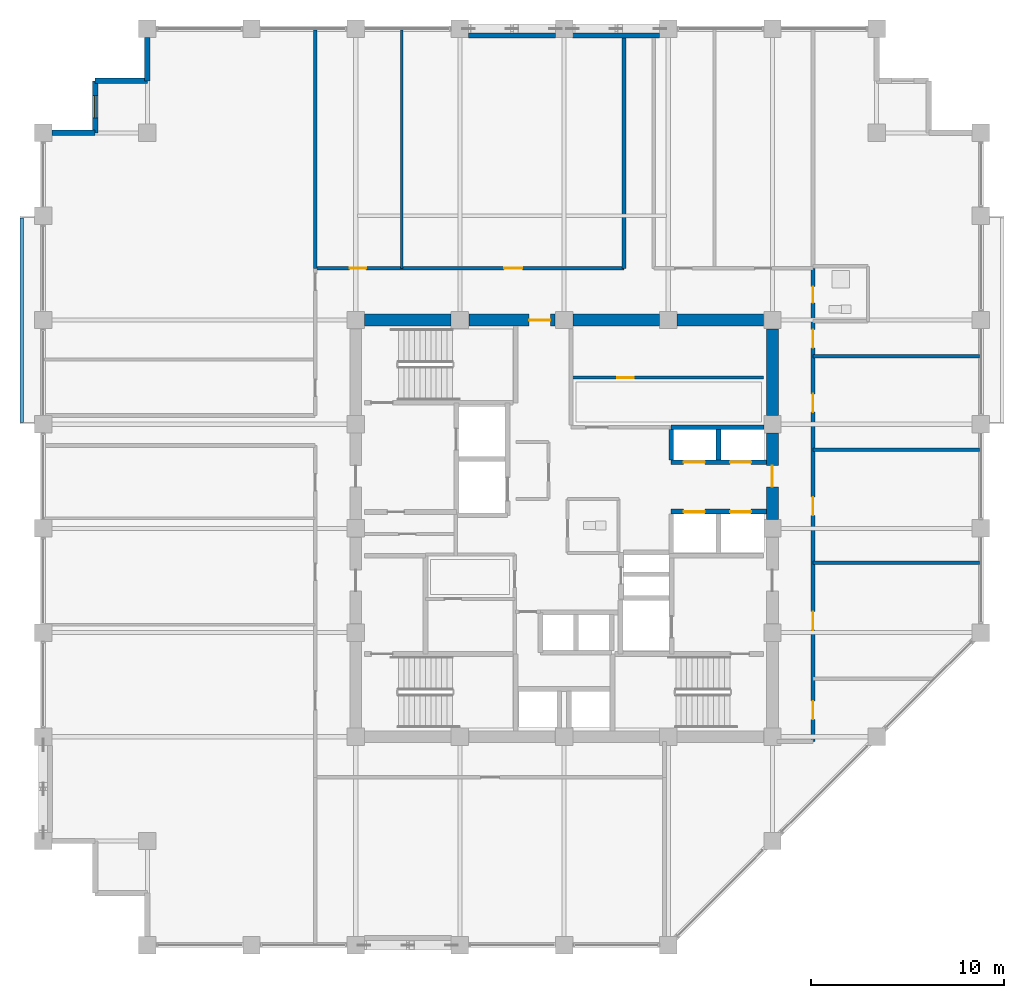
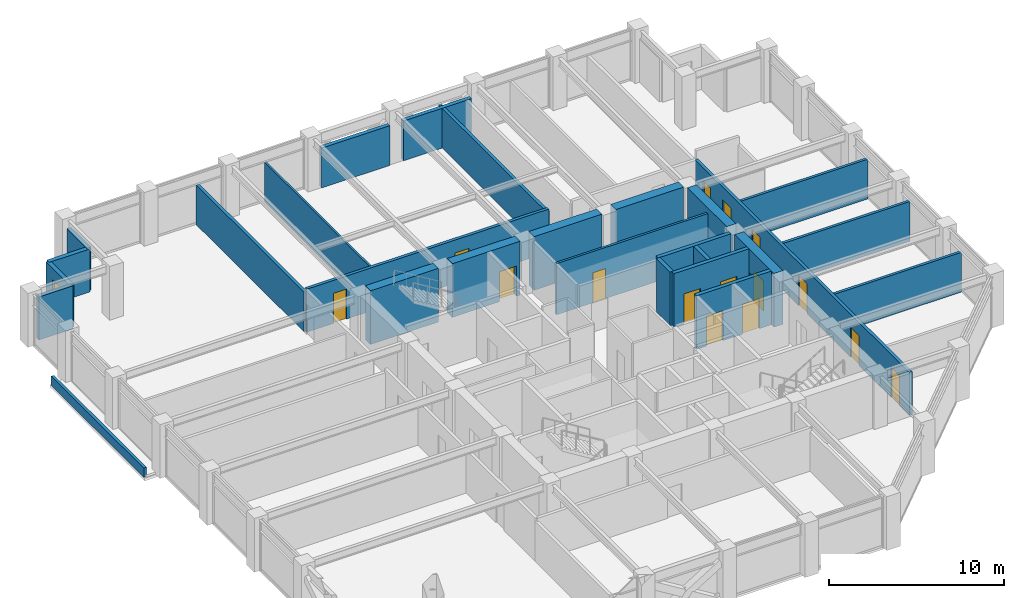
# One storey, part 28 of 31: 27 walls, 15 doors, 1 window, 16 openings.
"""IFC4 building model written with IfcOpenShell, lengths in metres."""

from ifc_helpers import new_model, si_unit, direction, frame, frame_2d, origin, place, context, subcontext, project, spatial, rectangle, extrude, material, layer, layer_set, type_object, element, fill, save


model = new_model("IFC4")

# Units and contexts
model_context = context("Model", 3, precision=1e-05, world=origin(), true_north=direction((0.0, 1.0)))
body_context = subcontext(model_context, "Body", "Model", "MODEL_VIEW")
ifc_project = project(units=[si_unit("LENGTHUNIT", "METRE"), si_unit("AREAUNIT", "SQUARE_METRE"), si_unit("VOLUMEUNIT", "CUBIC_METRE"), si_unit("PLANEANGLEUNIT", "RADIAN"), si_unit("MASSUNIT", "GRAM", prefix="KILO")], contexts=[model_context])

# Site, building, storey
site_placement = place(None, origin())
site = spatial("IfcSite", under=ifc_project, at=site_placement, CompositionType="ELEMENT")
building_placement = place(site_placement, origin())
building = spatial("IfcBuilding", under=site, at=building_placement, Name="Surkhivell Harbour Commons", CompositionType="ELEMENT")
storey_placement = place(building_placement, frame((0.0, 0.0, 193.5)))
storey = spatial("IfcBuildingStorey", under=building, at=storey_placement, Name="L50", CompositionType="ELEMENT", Elevation=193.5)

# Wall
ifc_material_1 = material(Name="Concrete C60/75", Category="concrete")
ifc_layer_1 = layer(ifc_material_1, 0.60009765625)
ifc_layer_set_1 = layer_set([ifc_layer_1], Name="Concrete C60/75")
wall_type_1 = type_object("IfcWallType", Name="WAL-CORE-600", PredefinedType="SHEAR", material=ifc_layer_set_1)
wall_1_placement = place(storey_placement, frame((-10.340087890625, 10.800048828125, 0.0), z_axis=(0.0, 0.0, 1.0), x_axis=(1.0, 0.0, 0.0)))
element("IfcWall", 1, at=wall_1_placement, inside=storey, type_object=wall_type_1, Name="L50 Core Shear Wall North 1", PredefinedType="SHEAR", context=body_context, shape_type="SweptSolid", body=[
    extrude(rectangle(XDim=4.47998046875, YDim=0.60009765625, at=frame_2d((2.239990234375, 0.0))), origin(), (0.0, 0.0, 1.0), 3.75),
])

# Wall, opening, door
wall_2_placement = place(storey_placement, frame((-4.93994140625, 10.800048828125, 0.0), z_axis=(0.0, 0.0, 1.0), x_axis=(1.0, 0.0, 0.0)))
wall_2 = element("IfcWall", 2, at=wall_2_placement, inside=storey, type_object=wall_type_1, Name="L50 Core Shear Wall North 2", PredefinedType="SHEAR", context=body_context, shape_type="SweptSolid", body=[
    extrude(rectangle(XDim=4.47998046875, YDim=0.60009765625, at=frame_2d((2.239990234375, 0.0))), origin(), (0.0, 0.0, 1.0), 3.75),
])
opening_1_placement = place(wall_2_placement, frame((3.1298828125, 0.0, 0.0)))
opening_1 = element("IfcOpeningElement", 3, at=opening_1_placement, cuts=wall_2, Name="Opening ID-2", PredefinedType="OPENING", context=body_context, shape_type="SweptSolid", body=[
    extrude(rectangle(XDim=1.10009765625, YDim=2.10009765625, at=frame_2d((0.550048828125, 1.050048828125))), frame((0.0, 0.31005859375, 0.0), z_axis=(0.0, -1.0, 0.0), x_axis=(1.0, 0.0, 0.0)), (0.0, 0.0, 1.0), 0.6201171875),
])
ifc_material_2 = material(Name="Hardwood-veneered fire-rated door leaf", Category="wood")
door_type_1 = type_object("IfcDoorType", Name="DOR-FD60-1100", OperationType="NOTDEFINED", PredefinedType="DOOR", material=ifc_material_2)
door_1_placement = place(opening_1_placement, origin())
door_1 = element("IfcDoor", 4, at=door_1_placement, inside=storey, type_object=door_type_1, Name="L50 Central Core Lift Hall North Corridor Door", OperationType="SINGLE_SWING_LEFT", OverallHeight=2.10009765625, OverallWidth=1.10009765625, PredefinedType="DOOR", context=body_context, shape_type="SweptSolid", body=[
    extrude(rectangle(XDim=1.10009765625, YDim=2.10009765625, at=frame_2d((0.550048828125, 1.050048828125))), frame((0.0, 0.02490234375, 0.0), z_axis=(0.0, -1.0, 0.0), x_axis=(1.0, 0.0, 0.0)), (0.0, 0.0, 1.0), 0.050048828125),
])
fill(opening_1, door_1)

# Wall
wall_3_placement = place(storey_placement, frame((0.4599609375, 10.800048828125, 0.0), z_axis=(0.0, 0.0, 1.0), x_axis=(1.0, 0.0, 0.0)))
element("IfcWall", 5, at=wall_3_placement, inside=storey, type_object=wall_type_1, Name="L50 Core Shear Wall North 3", PredefinedType="SHEAR", context=body_context, shape_type="SweptSolid", body=[
    extrude(rectangle(XDim=4.47998046875, YDim=0.60009765625, at=frame_2d((2.239990234375, 0.0))), origin(), (0.0, 0.0, 1.0), 3.75),
])

# Wall, opening, door
wall_4_placement = place(storey_placement, frame((10.800048828125, 0.4599609375, 0.0), z_axis=(0.0, 0.0, 1.0), x_axis=(0.0, 1.0, 0.0)))
wall_4 = element("IfcWall", 6, at=wall_4_placement, inside=storey, type_object=wall_type_1, Name="L50 Core Shear Wall East 3", PredefinedType="SHEAR", context=body_context, shape_type="SweptSolid", body=[
    extrude(rectangle(XDim=4.47998046875, YDim=0.60009765625, at=frame_2d((2.239990234375, 0.0))), origin(), (0.0, 0.0, 1.0), 3.75),
])
opening_2_placement = place(wall_4_placement, frame((1.68994140625, 0.0, 0.0)))
opening_2 = element("IfcOpeningElement", 7, at=opening_2_placement, cuts=wall_4, Name="Opening ID-2", PredefinedType="OPENING", context=body_context, shape_type="SweptSolid", body=[
    extrude(rectangle(XDim=1.10009765625, YDim=2.10009765625, at=frame_2d((0.550048828125, 1.050048828125))), frame((0.0, 0.31005859375, 0.0), z_axis=(0.0, -1.0, 0.0), x_axis=(1.0, 0.0, 0.0)), (0.0, 0.0, 1.0), 0.6201171875),
])
door_2_placement = place(opening_2_placement, origin())
door_2 = element("IfcDoor", 8, at=door_2_placement, inside=storey, type_object=door_type_1, Name="L50 Mid-Rise Lobby East Door", OperationType="SINGLE_SWING_LEFT", OverallHeight=2.10009765625, OverallWidth=1.10009765625, PredefinedType="DOOR", context=body_context, shape_type="SweptSolid", body=[
    extrude(rectangle(XDim=1.10009765625, YDim=2.10009765625, at=frame_2d((0.550048828125, 1.050048828125))), frame((0.0, 0.02490234375, 0.0), z_axis=(0.0, -1.0, 0.0), x_axis=(1.0, 0.0, 0.0)), (0.0, 0.0, 1.0), 0.050048828125),
])
fill(opening_2, door_2)

# Walls
for number, where, z_axis, x_axis, name in (
    (9, (5.860107421875, 10.800048828125, 0.0), (0.0, 0.0, 1.0), (1.0, 0.0, 0.0), "L50 Core Shear Wall North 4"),
    (10, (10.800048828125, 5.860107421875, 0.0), (0.0, 0.0, 1.0), (0.0, 1.0, 0.0), "L50 Core Shear Wall East 4"),
):
    element("IfcWall", number, at=place(storey_placement, frame(where, z_axis=z_axis, x_axis=x_axis)), inside=storey, type_object=wall_type_1, Name=name, PredefinedType="SHEAR", context=body_context, shape_type="SweptSolid", body=[
        extrude(rectangle(XDim=4.47998046875, YDim=0.60009765625, at=frame_2d((2.239990234375, 0.0))), origin(), (0.0, 0.0, 1.0), 3.75),
    ])
ifc_material_3 = material(Name="Pale-metal insulated precast concrete C45/55", Category="concrete")
ifc_layer_2 = layer(ifc_material_3, 0.260009765625)
ifc_layer_set_2 = layer_set([ifc_layer_2], Name="Pale-metal insulated precast concrete C45/55")
wall_type_2 = type_object("IfcWallType", Name="WAL-EXT-MTL260", PredefinedType="STANDARD", material=ifc_layer_set_2)
for number, where, z_axis, x_axis, name in (
    (11, (-0.447998046875, 25.5400390625, 0.0), (0.0, 0.0, 1.0), (-1.0, 0.0, 0.0), "L50 Braced-Bay Insulated Spandrel Backing N"),
    (12, (4.951904296875, 25.5400390625, 0.0), (0.0, 0.0, 1.0), (-1.0, 0.0, 0.0), "L50 Braced-Bay Insulated Spandrel Backing N2"),
):
    element("IfcWall", number, at=place(storey_placement, frame(where, z_axis=z_axis, x_axis=x_axis)), inside=storey, type_object=wall_type_2, Name=name, PredefinedType="STANDARD", context=body_context, shape_type="SweptSolid", body=[
        extrude(rectangle(XDim=4.50390625, YDim=0.260009765625, at=frame_2d((2.251953125, 0.0))), origin(), (0.0, 0.0, 1.0), 2.780029296875),
    ])
ifc_material_4 = material(Name="Terracotta-clad reinforced concrete C45/55", Category="masonry")
ifc_layer_3 = layer(ifc_material_4, 0.280029296875)
ifc_layer_set_3 = layer_set([ifc_layer_3], Name="Terracotta-clad reinforced concrete C45/55")
wall_type_3 = type_object("IfcWallType", Name="WAL-EXT-TER280", PredefinedType="STANDARD", material=ifc_layer_set_3)
wall_5_placement = place(storey_placement, frame((-21.60009765625, 25.451904296875, 0.0), z_axis=(0.0, 0.0, 1.0), x_axis=(0.0, -1.0, 0.0)))
element("IfcWall", 13, at=wall_5_placement, inside=storey, type_object=wall_type_3, Name="L50 Serrated Corner Facade Wall 08", PredefinedType="STANDARD", context=body_context, shape_type="SweptSolid", body=[
    extrude(rectangle(XDim=2.251953125, YDim=0.280029296875, at=frame_2d((1.1259765625, 0.0))), origin(), (0.0, 0.0, 1.0), 3.006103515625),
])
wall_6_placement = place(storey_placement, frame((-21.60009765625, 23.199951171875, 0.0), z_axis=(0.0, 0.0, 1.0), x_axis=(-1.0, 0.0, 0.0)))
element("IfcWall", 14, at=wall_6_placement, inside=storey, type_object=wall_type_3, Name="L50 Serrated Corner Facade Wall 09", PredefinedType="STANDARD", context=body_context, shape_type="SweptSolid", body=[
    extrude(rectangle(XDim=2.699951171875, YDim=0.280029296875, at=frame_2d((1.35009765625, 0.0))), origin(), (0.0, 0.0, 1.0), 3.006103515625),
])

# Wall, opening, window
wall_7_placement = place(storey_placement, frame((-24.300048828125, 23.199951171875, 0.0), z_axis=(0.0, 0.0, 1.0), x_axis=(0.0, -1.0, 0.0)))
wall_7 = element("IfcWall", 15, at=wall_7_placement, inside=storey, type_object=wall_type_3, Name="L50 Serrated Corner Facade Wall 10", PredefinedType="STANDARD", context=body_context, shape_type="SweptSolid", body=[
    extrude(rectangle(XDim=2.699951171875, YDim=0.280029296875, at=frame_2d((1.35009765625, 0.0))), origin(), (0.0, 0.0, 1.0), 3.006103515625),
])
opening_3_placement = place(wall_7_placement, frame((0.77490234375, 0.0, 0.64990234375)))
opening_3 = element("IfcOpeningElement", 16, at=opening_3_placement, cuts=wall_7, Name="Opening WN-10", PredefinedType="OPENING", context=body_context, shape_type="SweptSolid", body=[
    extrude(rectangle(XDim=1.14990234375, YDim=1.550048828125, at=frame_2d((0.574951171875, 0.77490234375))), frame((0.0, 0.14990234375, 0.0), z_axis=(0.0, -1.0, 0.0), x_axis=(1.0, 0.0, 0.0)), (0.0, 0.0, 1.0), 0.300048828125),
])
ifc_material_5 = material(Name="Thermal-break aluminium frame and double low-E glazing", Category="aluminium")
window_type = type_object("IfcWindowType", Name="WIN-SER-1150x1550", PartitioningType="SINGLE_PANEL", PredefinedType="WINDOW", material=ifc_material_5)
window_placement = place(opening_3_placement, origin())
window = element("IfcWindow", 17, at=window_placement, inside=storey, type_object=window_type, Name="L50 Serrated Alcove Window 10", OverallHeight=1.550048828125, OverallWidth=1.14990234375, PartitioningType="SINGLE_PANEL", PredefinedType="WINDOW", context=body_context, shape_type="SweptSolid", body=[
    extrude(rectangle(XDim=1.14990234375, YDim=1.550048828125, at=frame_2d((0.574951171875, 0.77490234375))), frame((0.0, 0.030029296875, 0.0), z_axis=(0.0, -1.0, 0.0), x_axis=(1.0, 0.0, 0.0)), (0.0, 0.0, 1.0), 0.06005859375),
])
fill(opening_3, window)

# Walls
wall_8_placement = place(storey_placement, frame((-24.300048828125, 20.5, 0.0), z_axis=(0.0, 0.0, 1.0), x_axis=(-1.0, 0.0, 0.0)))
element("IfcWall", 18, at=wall_8_placement, inside=storey, type_object=wall_type_3, Name="L50 Serrated Corner Facade Wall 11", PredefinedType="STANDARD", context=body_context, shape_type="SweptSolid", body=[
    extrude(rectangle(XDim=2.251953125, YDim=0.280029296875, at=frame_2d((1.1259765625, 0.0))), origin(), (0.0, 0.0, 1.0), 3.006103515625),
])
ifc_material_6 = material(Name="Moisture-resistant acoustic stud partition", Category="other")
ifc_layer_4 = layer(ifc_material_6, 0.125)
ifc_layer_set_4 = layer_set([ifc_layer_4], Name="Moisture-resistant acoustic stud partition")
wall_type_4 = type_object("IfcWallType", Name="WAL-INT-125", PredefinedType="PARTITIONING", material=ifc_layer_set_4)
wall_9_placement = place(storey_placement, frame((-8.419921875, 13.47998046875, 0.0), z_axis=(0.0, 0.0, 1.0), x_axis=(0.0, 1.0, 0.0)))
element("IfcWall", 19, at=wall_9_placement, inside=storey, type_object=wall_type_4, Name="L50 North-West Partition P1", PredefinedType="PARTITIONING", context=body_context, shape_type="SweptSolid", body=[
    extrude(rectangle(XDim=12.360107421875, YDim=0.125, at=frame_2d((6.18017578125, 0.0))), origin(), (0.0, 0.0, 1.0), 2.780029296875),
])

# Wall, opening, door
ifc_material_7 = material(Name="Twin-stud acoustic fireboard partition", Category="other")
ifc_layer_5 = layer(ifc_material_7, 0.14990234375)
ifc_layer_set_5 = layer_set([ifc_layer_5], Name="Twin-stud acoustic fireboard partition")
wall_type_5 = type_object("IfcWallType", Name="WAL-INT-150", PredefinedType="PARTITIONING", material=ifc_layer_set_5)
wall_10_placement = place(storey_placement, frame((0.35009765625, 7.820068359375, 0.0), z_axis=(0.0, 0.0, 1.0), x_axis=(1.0, 0.0, 0.0)))
wall_10 = element("IfcWall", 20, at=wall_10_placement, inside=storey, type_object=wall_type_5, Name="L50 Core Archive Partition", PredefinedType="PARTITIONING", context=body_context, shape_type="SweptSolid", body=[
    extrude(rectangle(XDim=9.989990234375, YDim=0.14990234375, at=frame_2d((4.9951171875, 0.0))), origin(), (0.0, 0.0, 1.0), 3.570068359375),
])
opening_4_placement = place(wall_10_placement, frame((2.39990234375, 0.0, 0.0)))
opening_4 = element("IfcOpeningElement", 21, at=opening_4_placement, cuts=wall_10, Name="Opening ID-6", PredefinedType="OPENING", context=body_context, shape_type="SweptSolid", body=[
    extrude(rectangle(XDim=0.85009765625, YDim=2.10009765625, at=frame_2d((0.425048828125, 1.050048828125))), frame((0.0, 0.0849609375, 0.0), z_axis=(0.0, -1.0, 0.0), x_axis=(1.0, 0.0, 0.0)), (0.0, 0.0, 1.0), 0.169921875),
])
door_type_2 = type_object("IfcDoorType", Name="DOR-FD30-850", OperationType="NOTDEFINED", PredefinedType="DOOR", material=ifc_material_2)
door_3_placement = place(opening_4_placement, origin())
door_3 = element("IfcDoor", 22, at=door_3_placement, inside=storey, type_object=door_type_2, Name="L50 Archive Room Door", OperationType="SINGLE_SWING_LEFT", OverallHeight=2.10009765625, OverallWidth=0.85009765625, PredefinedType="DOOR", context=body_context, shape_type="SweptSolid", body=[
    extrude(rectangle(XDim=0.85009765625, YDim=2.10009765625, at=frame_2d((0.425048828125, 1.050048828125))), frame((0.0, 0.02490234375, 0.0), z_axis=(0.0, -1.0, 0.0), x_axis=(1.0, 0.0, 0.0)), (0.0, 0.0, 1.0), 0.050048828125),
])
fill(opening_4, door_3)

# Walls
ifc_material_8 = material(Name="High-density acoustic blockwork fire partition", Category="masonry")
ifc_layer_6 = layer(ifc_material_8, 0.175048828125)
ifc_layer_set_6 = layer_set([ifc_layer_6], Name="High-density acoustic blockwork fire partition")
wall_type_6 = type_object("IfcWallType", Name="WAL-INT-175", PredefinedType="PARTITIONING", material=ifc_layer_set_6)
for number, where, z_axis, x_axis, name in (
    (23, (12.89990234375, -1.780029296875, 0.0), (0.0, 0.0, 1.0), (1.0, 0.0, 0.0), "L50 East Partition BDP1"),
    (24, (12.89990234375, 4.080078125, 0.0), (0.0, 0.0, 1.0), (1.0, 0.0, 0.0), "L50 East Partition BDP2"),
    (25, (12.89990234375, 8.929931640625, 0.0), (0.0, 0.0, 1.0), (1.0, 0.0, 0.0), "L50 East Partition PTOP"),
):
    element("IfcWall", number, at=place(storey_placement, frame(where, z_axis=z_axis, x_axis=x_axis)), inside=storey, type_object=wall_type_6, Name=name, PredefinedType="PARTITIONING", context=body_context, shape_type="SweptSolid", body=[
        extrude(rectangle(XDim=8.64013671875, YDim=0.175048828125, at=frame_2d((4.320068359375, 0.0))), origin(), (0.0, 0.0, 1.0), 2.780029296875),
    ])
ifc_material_9 = material(Name="Autoclaved aerated concrete blockwork and fire plaster", Category="masonry")
ifc_layer_7 = layer(ifc_material_9, 0.199951171875)
ifc_layer_set_7 = layer_set([ifc_layer_7], Name="Autoclaved aerated concrete blockwork and fire plaster")
wall_type_7 = type_object("IfcWallType", Name="WAL-INT-200", PredefinedType="PARTITIONING", material=ifc_layer_set_7)
wall_11_placement = place(storey_placement, frame((-12.89990234375, 13.47998046875, 0.0), z_axis=(0.0, 0.0, 1.0), x_axis=(0.0, 1.0, 0.0)))
element("IfcWall", 26, at=wall_11_placement, inside=storey, type_object=wall_type_7, Name="L50 North-West Corner Wall", PredefinedType="PARTITIONING", context=body_context, shape_type="SweptSolid", body=[
    extrude(rectangle(XDim=12.360107421875, YDim=0.199951171875, at=frame_2d((6.18017578125, 0.0))), origin(), (0.0, 0.0, 1.0), 2.780029296875),
])

# Wall, openings, doors
wall_12_placement = place(storey_placement, frame((12.89990234375, -11.0400390625, 0.0), z_axis=(0.0, 0.0, 1.0), x_axis=(0.0, 1.0, 0.0)))
wall_12 = element("IfcWall", 27, at=wall_12_placement, inside=storey, type_object=wall_type_7, Name="L50 Corridor East Wall", PredefinedType="PARTITIONING", context=body_context, shape_type="SweptSolid", body=[
    extrude(rectangle(XDim=24.52001953125, YDim=0.199951171875, at=frame_2d((12.260009765625, 0.0))), origin(), (0.0, 0.0, 1.0), 3.006103515625),
])
opening_5_placement = place(wall_12_placement, frame((1.139892578125, 0.0, 0.0)))
opening_5 = element("IfcOpeningElement", 28, at=opening_5_placement, cuts=wall_12, Name="Opening ID-4", PredefinedType="OPENING", context=body_context, shape_type="SweptSolid", body=[
    extrude(rectangle(XDim=0.949951171875, YDim=2.10009765625, at=frame_2d((0.47509765625, 1.050048828125))), frame((0.0, 0.10986328125, 0.0), z_axis=(0.0, -1.0, 0.0), x_axis=(1.0, 0.0, 0.0)), (0.0, 0.0, 1.0), 0.219970703125),
])
opening_6_placement = place(wall_12_placement, frame((22.72509765625, 0.0, 0.0)))
opening_6 = element("IfcOpeningElement", 29, at=opening_6_placement, cuts=wall_12, Name="Opening ID-6", PredefinedType="OPENING", context=body_context, shape_type="SweptSolid", body=[
    extrude(rectangle(XDim=0.85009765625, YDim=2.10009765625, at=frame_2d((0.425048828125, 1.050048828125))), frame((0.0, 0.10986328125, 0.0), z_axis=(0.0, -1.0, 0.0), x_axis=(1.0, 0.0, 0.0)), (0.0, 0.0, 1.0), 0.219970703125),
])
opening_7_placement = place(wall_12_placement, frame((20.389892578125, 0.0, 0.0)))
opening_7 = element("IfcOpeningElement", 30, at=opening_7_placement, cuts=wall_12, Name="Opening ID-4", PredefinedType="OPENING", context=body_context, shape_type="SweptSolid", body=[
    extrude(rectangle(XDim=0.949951171875, YDim=2.10009765625, at=frame_2d((0.47509765625, 1.050048828125))), frame((0.0, 0.10986328125, 0.0), z_axis=(0.0, -1.0, 0.0), x_axis=(1.0, 0.0, 0.0)), (0.0, 0.0, 1.0), 0.219970703125),
])
opening_8_placement = place(wall_12_placement, frame((5.77001953125, 0.0, 0.0)))
opening_8 = element("IfcOpeningElement", 31, at=opening_8_placement, cuts=wall_12, Name="Opening ID-4", PredefinedType="OPENING", context=body_context, shape_type="SweptSolid", body=[
    extrude(rectangle(XDim=0.949951171875, YDim=2.10009765625, at=frame_2d((0.47509765625, 1.050048828125))), frame((0.0, 0.10986328125, 0.0), z_axis=(0.0, -1.0, 0.0), x_axis=(1.0, 0.0, 0.0)), (0.0, 0.0, 1.0), 0.219970703125),
])
opening_9_placement = place(wall_12_placement, frame((11.7099609375, 0.0, 0.0)))
opening_9 = element("IfcOpeningElement", 32, at=opening_9_placement, cuts=wall_12, Name="Opening ID-4", PredefinedType="OPENING", context=body_context, shape_type="SweptSolid", body=[
    extrude(rectangle(XDim=0.949951171875, YDim=2.10009765625, at=frame_2d((0.47509765625, 1.050048828125))), frame((0.0, 0.10986328125, 0.0), z_axis=(0.0, -1.0, 0.0), x_axis=(1.0, 0.0, 0.0)), (0.0, 0.0, 1.0), 0.219970703125),
])
opening_10_placement = place(wall_12_placement, frame((17.06494140625, 0.0, 0.0)))
opening_10 = element("IfcOpeningElement", 33, at=opening_10_placement, cuts=wall_12, Name="Opening ID-4", PredefinedType="OPENING", context=body_context, shape_type="SweptSolid", body=[
    extrude(rectangle(XDim=0.949951171875, YDim=2.10009765625, at=frame_2d((0.47509765625, 1.050048828125))), frame((0.0, 0.10986328125, 0.0), z_axis=(0.0, -1.0, 0.0), x_axis=(1.0, 0.0, 0.0)), (0.0, 0.0, 1.0), 0.219970703125),
])
door_4_placement = place(opening_6_placement, origin())
door_4 = element("IfcDoor", 34, at=door_4_placement, inside=storey, type_object=door_type_2, Name="L50 Communal Shower Bathroom East Door", OperationType="SINGLE_SWING_RIGHT", OverallHeight=2.10009765625, OverallWidth=0.85009765625, PredefinedType="DOOR", context=body_context, shape_type="SweptSolid", body=[
    extrude(rectangle(XDim=0.85009765625, YDim=2.10009765625, at=frame_2d((0.425048828125, 1.050048828125))), frame((0.0, 0.02490234375, 0.0), z_axis=(0.0, -1.0, 0.0), x_axis=(1.0, 0.0, 0.0)), (0.0, 0.0, 1.0), 0.050048828125),
])
fill(opening_6, door_4)
door_type_3 = type_object("IfcDoorType", Name="DOR-FD60-950", OperationType="NOTDEFINED", PredefinedType="DOOR", material=ifc_material_2)
door_5_placement = place(opening_5_placement, origin())
door_5 = element("IfcDoor", 35, at=door_5_placement, inside=storey, type_object=door_type_3, Name="L50 Shared Communal Kitchen East Door", OperationType="SINGLE_SWING_LEFT", OverallHeight=2.10009765625, OverallWidth=0.949951171875, PredefinedType="DOOR", context=body_context, shape_type="SweptSolid", body=[
    extrude(rectangle(XDim=0.949951171875, YDim=2.10009765625, at=frame_2d((0.47509765625, 1.050048828125))), frame((0.0, 0.02490234375, 0.0), z_axis=(0.0, -1.0, 0.0), x_axis=(1.0, 0.0, 0.0)), (0.0, 0.0, 1.0), 0.050048828125),
])
fill(opening_5, door_5)
door_6_placement = place(opening_7_placement, origin())
door_6 = element("IfcDoor", 36, at=door_6_placement, inside=storey, type_object=door_type_3, Name="L50 Academic Reading Commons East Door", OperationType="SINGLE_SWING_LEFT", OverallHeight=2.10009765625, OverallWidth=0.949951171875, PredefinedType="DOOR", context=body_context, shape_type="SweptSolid", body=[
    extrude(rectangle(XDim=0.949951171875, YDim=2.10009765625, at=frame_2d((0.47509765625, 1.050048828125))), frame((0.0, 0.02490234375, 0.0), z_axis=(0.0, -1.0, 0.0), x_axis=(1.0, 0.0, 0.0)), (0.0, 0.0, 1.0), 0.050048828125),
])
fill(opening_7, door_6)
door_7_placement = place(opening_8_placement, origin())
door_7 = element("IfcDoor", 37, at=door_7_placement, inside=storey, type_object=door_type_3, Name="L50 Hostel Cluster Bedroom 1 East Door", OperationType="SINGLE_SWING_RIGHT", OverallHeight=2.10009765625, OverallWidth=0.949951171875, PredefinedType="DOOR", context=body_context, shape_type="SweptSolid", body=[
    extrude(rectangle(XDim=0.949951171875, YDim=2.10009765625, at=frame_2d((0.47509765625, 1.050048828125))), frame((0.0, 0.02490234375, 0.0), z_axis=(0.0, -1.0, 0.0), x_axis=(1.0, 0.0, 0.0)), (0.0, 0.0, 1.0), 0.050048828125),
])
fill(opening_8, door_7)
door_8_placement = place(opening_9_placement, origin())
door_8 = element("IfcDoor", 38, at=door_8_placement, inside=storey, type_object=door_type_3, Name="L50 Co-Living Dormitory Bedroom 2 East Door", OperationType="SINGLE_SWING_LEFT", OverallHeight=2.10009765625, OverallWidth=0.949951171875, PredefinedType="DOOR", context=body_context, shape_type="SweptSolid", body=[
    extrude(rectangle(XDim=0.949951171875, YDim=2.10009765625, at=frame_2d((0.47509765625, 1.050048828125))), frame((0.0, 0.02490234375, 0.0), z_axis=(0.0, -1.0, 0.0), x_axis=(1.0, 0.0, 0.0)), (0.0, 0.0, 1.0), 0.050048828125),
])
fill(opening_9, door_8)
door_9_placement = place(opening_10_placement, origin())
door_9 = element("IfcDoor", 39, at=door_9_placement, inside=storey, type_object=door_type_3, Name="L50 Hostel Cluster Bedroom 3 East Door", OperationType="SINGLE_SWING_RIGHT", OverallHeight=2.10009765625, OverallWidth=0.949951171875, PredefinedType="DOOR", context=body_context, shape_type="SweptSolid", body=[
    extrude(rectangle(XDim=0.949951171875, YDim=2.10009765625, at=frame_2d((0.47509765625, 1.050048828125))), frame((0.0, 0.02490234375, 0.0), z_axis=(0.0, -1.0, 0.0), x_axis=(1.0, 0.0, 0.0)), (0.0, 0.0, 1.0), 0.050048828125),
])
fill(opening_10, door_9)

wall_13_placement = place(storey_placement, frame((-12.89990234375, 13.47998046875, 0.0), z_axis=(0.0, 0.0, 1.0), x_axis=(1.0, 0.0, 0.0)))
wall_13 = element("IfcWall", 40, at=wall_13_placement, inside=storey, type_object=wall_type_7, Name="L50 Corridor North-West Wall", PredefinedType="PARTITIONING", context=body_context, shape_type="SweptSolid", body=[
    extrude(rectangle(XDim=16.0, YDim=0.199951171875, at=frame_2d((8.0, 0.0))), origin(), (0.0, 0.0, 1.0), 3.006103515625),
])
opening_11_placement = place(wall_13_placement, frame((1.7900390625, 0.0, 0.0)))
opening_11 = element("IfcOpeningElement", 41, at=opening_11_placement, cuts=wall_13, Name="Opening ID-6", PredefinedType="OPENING", context=body_context, shape_type="SweptSolid", body=[
    extrude(rectangle(XDim=0.85009765625, YDim=2.10009765625, at=frame_2d((0.425048828125, 1.050048828125))), frame((0.0, 0.10986328125, 0.0), z_axis=(0.0, -1.0, 0.0), x_axis=(1.0, 0.0, 0.0)), (0.0, 0.0, 1.0), 0.219970703125),
])
opening_12_placement = place(wall_13_placement, frame((9.7900390625, 0.0, 0.0)))
opening_12 = element("IfcOpeningElement", 42, at=opening_12_placement, cuts=wall_13, Name="Opening ID-4", PredefinedType="OPENING", context=body_context, shape_type="SweptSolid", body=[
    extrude(rectangle(XDim=0.949951171875, YDim=2.10009765625, at=frame_2d((0.47509765625, 1.050048828125))), frame((0.0, 0.10986328125, 0.0), z_axis=(0.0, -1.0, 0.0), x_axis=(1.0, 0.0, 0.0)), (0.0, 0.0, 1.0), 0.219970703125),
])
door_10_placement = place(opening_11_placement, origin())
door_10 = element("IfcDoor", 43, at=door_10_placement, inside=storey, type_object=door_type_2, Name="L50 Shared Communal Kitchen A North-West Door", OperationType="SINGLE_SWING_LEFT", OverallHeight=2.10009765625, OverallWidth=0.85009765625, PredefinedType="DOOR", context=body_context, shape_type="SweptSolid", body=[
    extrude(rectangle(XDim=0.85009765625, YDim=2.10009765625, at=frame_2d((0.425048828125, 1.050048828125))), frame((0.0, 0.02490234375, 0.0), z_axis=(0.0, -1.0, 0.0), x_axis=(1.0, 0.0, 0.0)), (0.0, 0.0, 1.0), 0.050048828125),
])
fill(opening_11, door_10)
door_11_placement = place(opening_12_placement, origin())
door_11 = element("IfcDoor", 44, at=door_11_placement, inside=storey, type_object=door_type_3, Name="L50 Shared Communal Kitchen B North-West Door", OperationType="SINGLE_SWING_RIGHT", OverallHeight=2.10009765625, OverallWidth=0.949951171875, PredefinedType="DOOR", context=body_context, shape_type="SweptSolid", body=[
    extrude(rectangle(XDim=0.949951171875, YDim=2.10009765625, at=frame_2d((0.47509765625, 1.050048828125))), frame((0.0, 0.02490234375, 0.0), z_axis=(0.0, -1.0, 0.0), x_axis=(1.0, 0.0, 0.0)), (0.0, 0.0, 1.0), 0.050048828125),
])
fill(opening_12, door_11)

# Walls
wall_14_placement = place(storey_placement, frame((3.10009765625, 13.47998046875, 0.0), z_axis=(0.0, 0.0, 1.0), x_axis=(0.0, 1.0, 0.0)))
element("IfcWall", 45, at=wall_14_placement, inside=storey, type_object=wall_type_7, Name="L50 North Spur West Wall", PredefinedType="PARTITIONING", context=body_context, shape_type="SweptSolid", body=[
    extrude(rectangle(XDim=12.360107421875, YDim=0.199951171875, at=frame_2d((6.18017578125, 0.0))), origin(), (0.0, 0.0, 1.0), 2.780029296875),
])
ifc_material_10 = material(Name="Anodised aluminium and precast concrete C40/50", Category="concrete")
ifc_layer_8 = layer(ifc_material_10, 0.18505859375)
ifc_layer_set_8 = layer_set([ifc_layer_8], Name="Anodised aluminium and precast concrete C40/50")
wall_type_8 = type_object("IfcWallType", Name="WAL-PAR-185", PredefinedType="PARAPET", material=ifc_layer_set_8)
wall_15_placement = place(storey_placement, frame((-28.10009765625, 16.10009765625, 0.0), z_axis=(0.0, 0.0, 1.0), x_axis=(0.0, -1.0, 0.0)))
element("IfcWall", 46, at=wall_15_placement, inside=storey, type_object=wall_type_8, Name="L50 Box Roof Coping Parapet 2-1", PredefinedType="PARAPET", context=body_context, shape_type="SweptSolid", body=[
    extrude(rectangle(XDim=10.60009765625, YDim=0.18505859375, at=frame_2d((5.300048828125, 0.0))), origin(), (0.0, 0.0, 1.0), 0.64990234375),
])
ifc_material_11 = material(Name="Concrete C50/60", Category="concrete")
ifc_layer_9 = layer(ifc_material_11, 0.25)
ifc_layer_set_9 = layer_set([ifc_layer_9], Name="Concrete C50/60")
wall_type_9 = type_object("IfcWallType", Name="WAL-SHAFT-250", PredefinedType="SHEAR", material=ifc_layer_set_9)
for number, where, z_axis, x_axis, name in (
    (47, (5.550048828125, 3.550048828125, 0.0), (0.0, 0.0, 1.0), (0.0, 1.0, 0.0), "L50 Mid-Rise Shaft Side Wall N"),
    (48, (8.0, 3.550048828125, 0.0), (0.0, 0.0, 1.0), (0.0, 1.0, 0.0), "L50 Mid-Rise Shaft Side Wall N"),
):
    element("IfcWall", number, at=place(storey_placement, frame(where, z_axis=z_axis, x_axis=x_axis)), inside=storey, type_object=wall_type_9, Name=name, PredefinedType="SHEAR", context=body_context, shape_type="SweptSolid", body=[
        extrude(rectangle(XDim=1.570068359375, YDim=0.25, at=frame_2d((0.78515625, 0.0))), origin(), (0.0, 0.0, 1.0), 3.75),
    ])

# Wall, openings, doors
wall_16_placement = place(storey_placement, frame((5.550048828125, 3.429931640625, 0.0), z_axis=(0.0, 0.0, 1.0), x_axis=(1.0, 0.0, 0.0)))
wall_16 = element("IfcWall", 49, at=wall_16_placement, inside=storey, type_object=wall_type_9, Name="L50 Mid-Rise North Front Shaft Wall", PredefinedType="SHEAR", context=body_context, shape_type="SweptSolid", body=[
    extrude(rectangle(XDim=4.949951171875, YDim=0.25, at=frame_2d((2.47509765625, 0.0))), origin(), (0.0, 0.0, 1.0), 3.75),
])
opening_13_placement = place(wall_16_placement, frame((0.64990234375, 0.0, 0.0)))
opening_13 = element("IfcOpeningElement", 50, at=opening_13_placement, cuts=wall_16, Name="Opening LD-1", PredefinedType="OPENING", context=body_context, shape_type="SweptSolid", body=[
    extrude(rectangle(XDim=1.10009765625, YDim=2.10009765625, at=frame_2d((0.550048828125, 1.050048828125))), frame((0.0, 0.135009765625, 0.0), z_axis=(0.0, -1.0, 0.0), x_axis=(1.0, 0.0, 0.0)), (0.0, 0.0, 1.0), 0.27001953125),
])
opening_14_placement = place(wall_16_placement, frame((3.050048828125, 0.0, 0.0)))
opening_14 = element("IfcOpeningElement", 51, at=opening_14_placement, cuts=wall_16, Name="Opening LD-1", PredefinedType="OPENING", context=body_context, shape_type="SweptSolid", body=[
    extrude(rectangle(XDim=1.10009765625, YDim=2.10009765625, at=frame_2d((0.550048828125, 1.050048828125))), frame((0.0, 0.135009765625, 0.0), z_axis=(0.0, -1.0, 0.0), x_axis=(1.0, 0.0, 0.0)), (0.0, 0.0, 1.0), 0.27001953125),
])
ifc_material_12 = material(Name="Brushed stainless steel S355", Category="steel")
door_type_4 = type_object("IfcDoorType", Name="DOR-LD-1100", OperationType="SLIDING_TO_LEFT", PredefinedType="DOOR", material=ifc_material_12)
door_12_placement = place(opening_13_placement, origin())
door_12 = element("IfcDoor", 52, at=door_12_placement, inside=storey, type_object=door_type_4, Name="L50 Lift Landing Door LD-PM1", OperationType="SLIDING_TO_RIGHT", OverallHeight=2.10009765625, OverallWidth=1.10009765625, PredefinedType="DOOR", context=body_context, shape_type="SweptSolid", body=[
    extrude(rectangle(XDim=1.10009765625, YDim=2.10009765625, at=frame_2d((0.550048828125, 1.050048828125))), frame((0.0, 0.02490234375, 0.0), z_axis=(0.0, -1.0, 0.0), x_axis=(1.0, 0.0, 0.0)), (0.0, 0.0, 1.0), 0.050048828125),
])
fill(opening_13, door_12)
door_13_placement = place(opening_14_placement, origin())
door_13 = element("IfcDoor", 53, at=door_13_placement, inside=storey, type_object=door_type_4, Name="L50 Lift Landing Door LD-PM2", OperationType="SLIDING_TO_RIGHT", OverallHeight=2.10009765625, OverallWidth=1.10009765625, PredefinedType="DOOR", context=body_context, shape_type="SweptSolid", body=[
    extrude(rectangle(XDim=1.10009765625, YDim=2.10009765625, at=frame_2d((0.550048828125, 1.050048828125))), frame((0.0, 0.02490234375, 0.0), z_axis=(0.0, -1.0, 0.0), x_axis=(1.0, 0.0, 0.0)), (0.0, 0.0, 1.0), 0.050048828125),
])
fill(opening_14, door_13)

# Wall
wall_17_placement = place(storey_placement, frame((5.550048828125, 5.239990234375, 0.0), z_axis=(0.0, 0.0, 1.0), x_axis=(1.0, 0.0, 0.0)))
element("IfcWall", 54, at=wall_17_placement, inside=storey, type_object=wall_type_9, Name="L50 Mid-Rise North Back Shaft Wall", PredefinedType="SHEAR", context=body_context, shape_type="SweptSolid", body=[
    extrude(rectangle(XDim=4.800048828125, YDim=0.25, at=frame_2d((2.39990234375, 0.0))), origin(), (0.0, 0.0, 1.0), 3.75),
])

# Wall, openings, doors
wall_18_placement = place(storey_placement, frame((5.550048828125, 0.8701171875, 0.0), z_axis=(0.0, 0.0, 1.0), x_axis=(1.0, 0.0, 0.0)))
wall_18 = element("IfcWall", 55, at=wall_18_placement, inside=storey, type_object=wall_type_9, Name="L50 Mid-Rise South Front Shaft Wall", PredefinedType="SHEAR", context=body_context, shape_type="SweptSolid", body=[
    extrude(rectangle(XDim=4.949951171875, YDim=0.25, at=frame_2d((2.47509765625, 0.0))), origin(), (0.0, 0.0, 1.0), 3.75),
])
opening_15_placement = place(wall_18_placement, frame((0.64990234375, 0.0, 0.0)))
opening_15 = element("IfcOpeningElement", 56, at=opening_15_placement, cuts=wall_18, Name="Opening LD-1", PredefinedType="OPENING", context=body_context, shape_type="SweptSolid", body=[
    extrude(rectangle(XDim=1.10009765625, YDim=2.10009765625, at=frame_2d((0.550048828125, 1.050048828125))), frame((0.0, 0.135009765625, 0.0), z_axis=(0.0, -1.0, 0.0), x_axis=(1.0, 0.0, 0.0)), (0.0, 0.0, 1.0), 0.27001953125),
])
opening_16_placement = place(wall_18_placement, frame((3.050048828125, 0.0, 0.0)))
opening_16 = element("IfcOpeningElement", 57, at=opening_16_placement, cuts=wall_18, Name="Opening LD-1", PredefinedType="OPENING", context=body_context, shape_type="SweptSolid", body=[
    extrude(rectangle(XDim=1.10009765625, YDim=2.10009765625, at=frame_2d((0.550048828125, 1.050048828125))), frame((0.0, 0.135009765625, 0.0), z_axis=(0.0, -1.0, 0.0), x_axis=(1.0, 0.0, 0.0)), (0.0, 0.0, 1.0), 0.27001953125),
])
door_14_placement = place(opening_15_placement, origin())
door_14 = element("IfcDoor", 58, at=door_14_placement, inside=storey, type_object=door_type_4, Name="L50 Lift Landing Door LD-PM3", OperationType="SLIDING_TO_RIGHT", OverallHeight=2.10009765625, OverallWidth=1.10009765625, PredefinedType="DOOR", context=body_context, shape_type="SweptSolid", body=[
    extrude(rectangle(XDim=1.10009765625, YDim=2.10009765625, at=frame_2d((0.550048828125, 1.050048828125))), frame((0.0, 0.02490234375, 0.0), z_axis=(0.0, -1.0, 0.0), x_axis=(1.0, 0.0, 0.0)), (0.0, 0.0, 1.0), 0.050048828125),
])
fill(opening_15, door_14)
door_15_placement = place(opening_16_placement, origin())
door_15 = element("IfcDoor", 59, at=door_15_placement, inside=storey, type_object=door_type_4, Name="L50 Lift Landing Door LD-PM4", OperationType="SLIDING_TO_RIGHT", OverallHeight=2.10009765625, OverallWidth=1.10009765625, PredefinedType="DOOR", context=body_context, shape_type="SweptSolid", body=[
    extrude(rectangle(XDim=1.10009765625, YDim=2.10009765625, at=frame_2d((0.550048828125, 1.050048828125))), frame((0.0, 0.02490234375, 0.0), z_axis=(0.0, -1.0, 0.0), x_axis=(1.0, 0.0, 0.0)), (0.0, 0.0, 1.0), 0.050048828125),
])
fill(opening_16, door_15)

save(model, "model.ifc")
